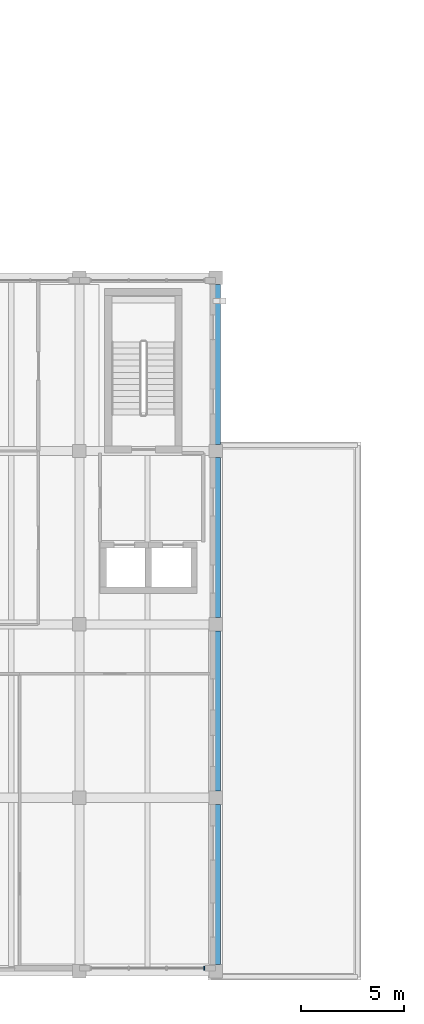
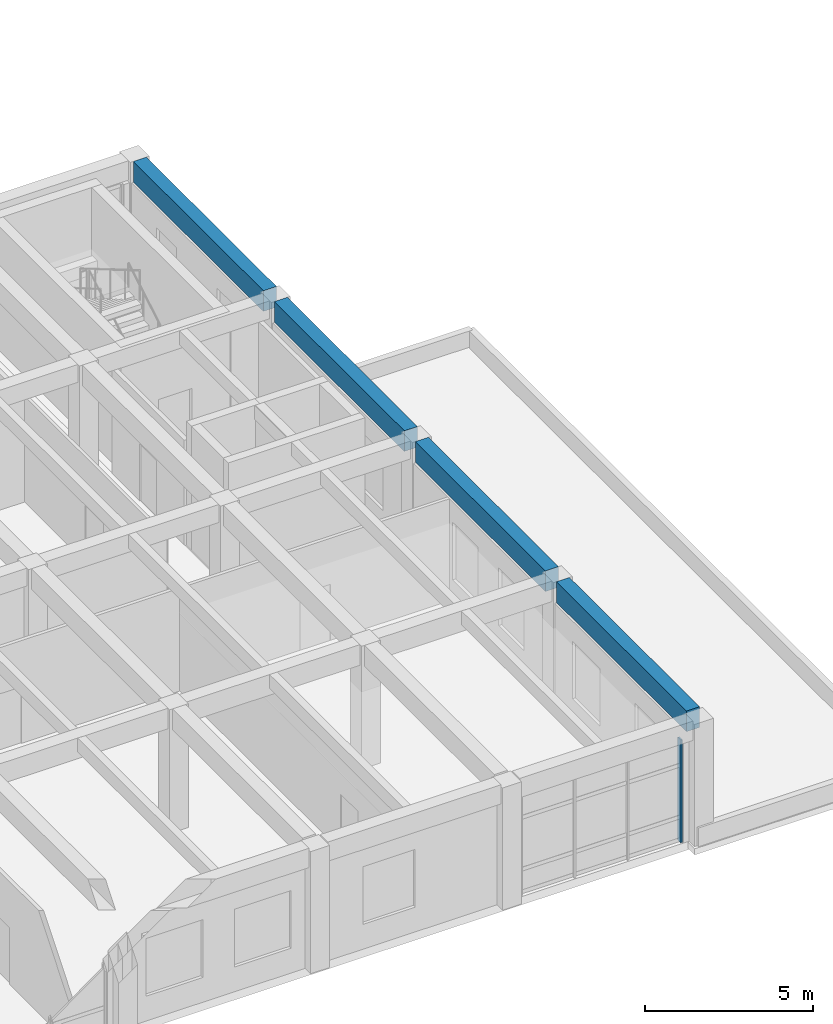
# One storey, part 5 of 50: 4 beams, 1 member, 1 element without a shape of its own.
"""IFC4 building model written with IfcOpenShell, lengths in metres."""

from ifc_helpers import new_model, si_unit, direction, frame, origin, origin_2d, place, context, subcontext, project, spatial, rectangle, extrude, material, layer, layer_set, material_profile, profile_set, type_object, element, aggregate, save


model = new_model("IFC4")

# Units and contexts
model_context = context("Model", 3, precision=1e-05, world=origin(), true_north=direction((0.0, 1.0)))
body_context = subcontext(model_context, "Body", "Model", "MODEL_VIEW")
ifc_project = project(units=[si_unit("LENGTHUNIT", "METRE"), si_unit("AREAUNIT", "SQUARE_METRE"), si_unit("VOLUMEUNIT", "CUBIC_METRE"), si_unit("PLANEANGLEUNIT", "RADIAN"), si_unit("MASSUNIT", "GRAM", prefix="KILO")], contexts=[model_context])

# Site, building, storey
site_placement = place(None, origin())
site = spatial("IfcSite", under=ifc_project, at=site_placement, CompositionType="ELEMENT")
building_placement = place(site_placement, origin())
building = spatial("IfcBuilding", under=site, at=building_placement, Name="Kolvaren Faculty of Natural Sciences", CompositionType="ELEMENT")
storey_placement = place(building_placement, frame((0.0, 0.0, 15.0)))
storey = spatial("IfcBuildingStorey", under=building, at=storey_placement, Name="L03", CompositionType="ELEMENT", Elevation=15.0)

# Curtain wall, member
ifc_material_1 = material(Name="Thermally broken anodised aluminium framing", Category="aluminium")
ifc_layer = layer(ifc_material_1, 0.179931640625)
ifc_layer_set = layer_set([ifc_layer], Name="Thermally broken anodised aluminium framing")
curtain_wall_type = type_object("IfcCurtainWallType", Name="CommonsCurtainWall_CW02", PredefinedType="NOTDEFINED", material=ifc_layer_set)
curtain_wall_placement = place(storey_placement, origin())
curtain_wall = element("IfcCurtainWall", 1, at=curtain_wall_placement, inside=storey, type_object=curtain_wall_type, Name="L03 unitised curtain wall CW-02 (CW-L03-138)", PredefinedType="NOTDEFINED")
ifc_material_profile_1 = material_profile(ifc_material_1, rectangle(XDim=0.06005859375, YDim=0.179931640625, at=origin_2d()), Name="ALU MUL 60x180")
ifc_profile_set_1 = profile_set([ifc_material_profile_1], Name="Thermally broken anodised aluminium framing")
member_type = type_object("IfcMemberType", Name="CurtainMullion_60x180", PredefinedType="MULLION", material=ifc_profile_set_1)
member_placement = place(storey_placement, frame((39.25, 8.739990234375, 0.0), z_axis=(0.0, 0.0, 1.0), x_axis=(-1.0, 0.0, 0.0)))
member = element("IfcMember", 2, at=member_placement, type_object=member_type, Name="CW-L03-138 vertical mullion 1", PredefinedType="MULLION", context=body_context, shape_type="SweptSolid", body=[
    extrude(rectangle(XDim=0.06005859375, YDim=0.179931640625, at=origin_2d()), origin(), (0.0, 0.0, 1.0), 3.735107421875),
])
aggregate(curtain_wall, [member])

# Beams
ifc_material_2 = material(Name="Concrete C35/45", Category="concrete")
ifc_material_profile_2 = material_profile(ifc_material_2, rectangle(XDim=0.449951171875, YDim=0.75, at=origin_2d()), Name="RC BM 450x750")
ifc_profile_set_2 = profile_set([ifc_material_profile_2], Name="Concrete C35/45")
beam_type = type_object("IfcBeamType", Name="PrimaryGirder_450x750", PredefinedType="BEAM", material=ifc_profile_set_2)
for number, where, z_axis, x_axis, name in (
    (3, (39.800048828125, 8.925048828125, 4.125), (0.0, 1.0, 0.0), (-1.0, 0.0, 0.0), "L03 girder BG-75 on grid 7"),
    (4, (39.800048828125, 17.324951171875, 4.125), (0.0, 1.0, 0.0), (-1.0, 0.0, 0.0), "L03 girder BG-75 on grid 7"),
    (5, (39.800048828125, 25.72509765625, 4.125), (0.0, 1.0, 0.0), (-1.0, 0.0, 0.0), "L03 girder BG-75 on grid 7"),
    (6, (39.800048828125, 34.125, 4.125), (0.0, 1.0, 0.0), (-1.0, 0.0, 0.0), "L03 girder BG-75 on grid 7"),
):
    element("IfcBeam", number, at=place(storey_placement, frame(where, z_axis=z_axis, x_axis=x_axis)), inside=storey, type_object=beam_type, Name=name, PredefinedType="BEAM", context=body_context, shape_type="SweptSolid", body=[
        extrude(rectangle(XDim=0.449951171875, YDim=0.75, at=origin_2d()), origin(), (0.0, 0.0, 1.0), 7.75),
    ])

save(model, "model.ifc")
